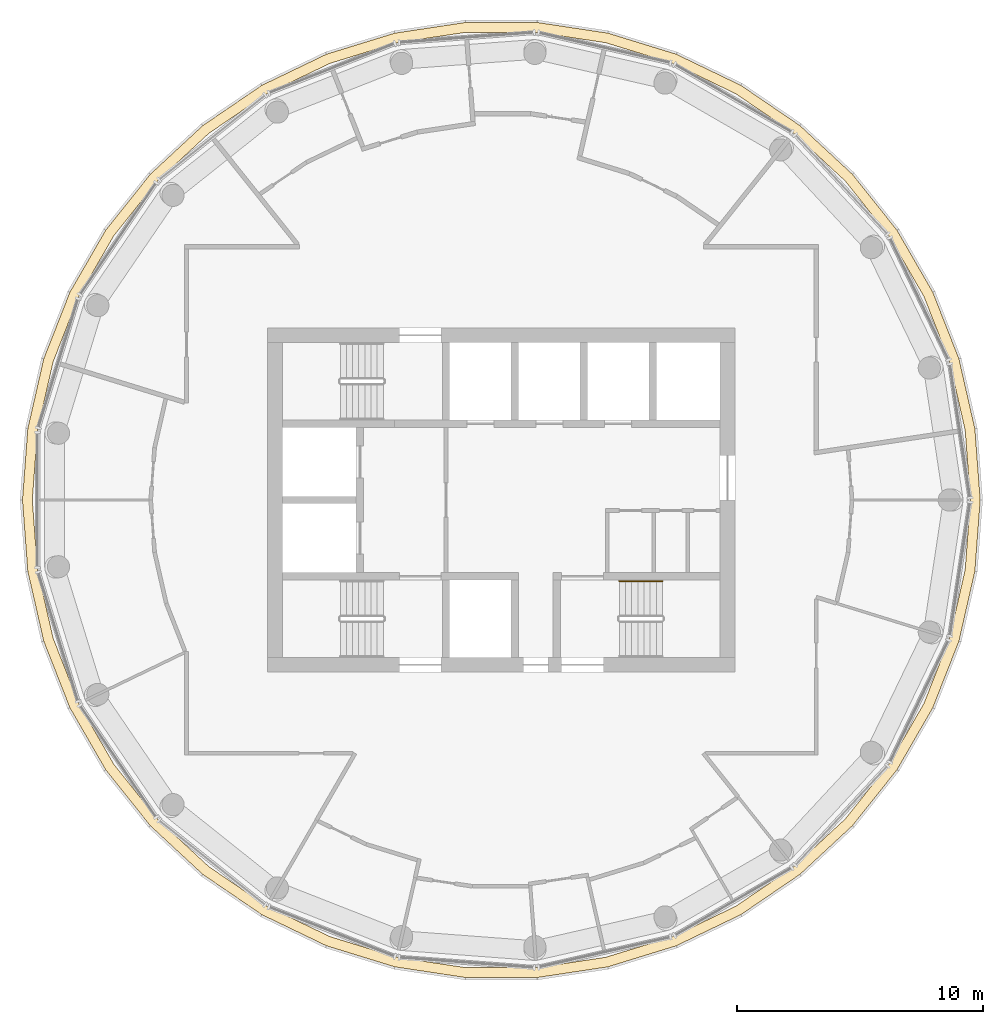
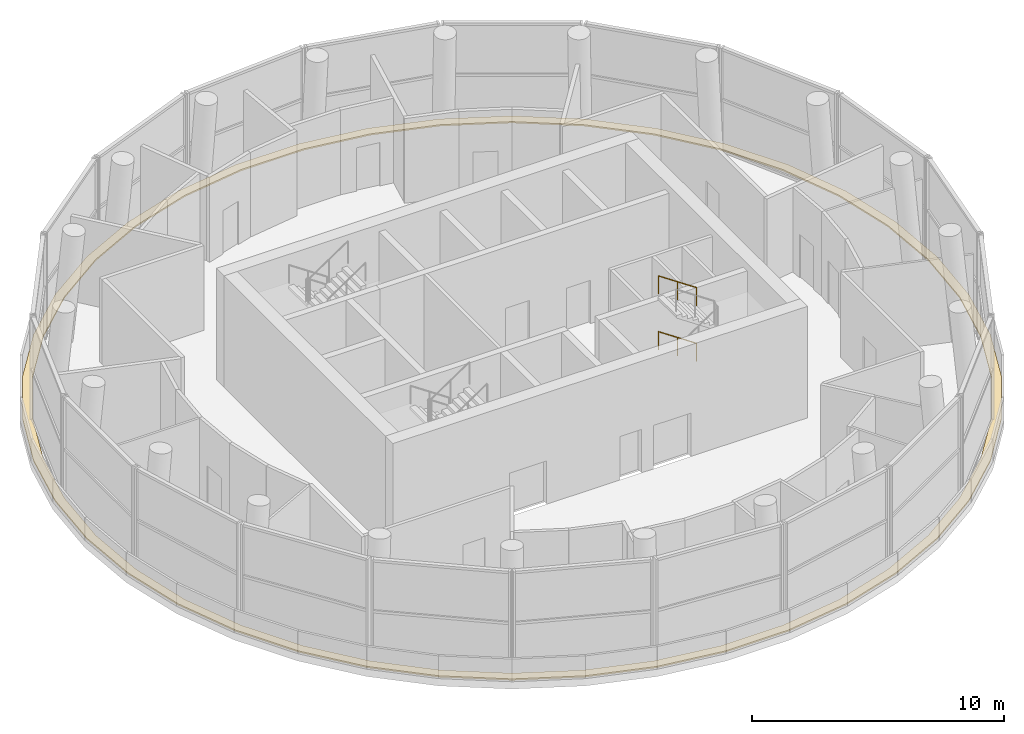
# One storey, part 10 of 10: 2 railings, 1 covering.
"""IFC4 building model written with IfcOpenShell, lengths in metres."""

from ifc_helpers import new_model, si_unit, direction, frame, origin, origin_2d, place, context, subcontext, project, spatial, polyline, circle, outline, extrude, material, layer, layer_set, type_object, element, save


model = new_model("IFC4")

# Units and contexts
model_context = context("Model", 3, precision=1e-05, world=origin(), true_north=direction((0.0, 1.0)))
body_context = subcontext(model_context, "Body", "Model", "MODEL_VIEW")
ifc_project = project(units=[si_unit("LENGTHUNIT", "METRE"), si_unit("AREAUNIT", "SQUARE_METRE"), si_unit("VOLUMEUNIT", "CUBIC_METRE"), si_unit("PLANEANGLEUNIT", "RADIAN"), si_unit("MASSUNIT", "GRAM", prefix="KILO")], contexts=[model_context])

# Site, building, storey
site_placement = place(None, origin())
site = spatial("IfcSite", under=ifc_project, at=site_placement, CompositionType="ELEMENT")
building_placement = place(site_placement, origin())
building = spatial("IfcBuilding", under=site, at=building_placement, Name="Tracery Tower", CompositionType="ELEMENT")
storey_placement = place(building_placement, frame((0.0, 0.0, 336.0)))
storey = spatial("IfcBuildingStorey", under=building, at=storey_placement, Name="L87", CompositionType="ELEMENT", Elevation=336.0)

# Covering
ifc_material_1 = material(Name="Roof membrane on insulation")
ifc_layer = layer(ifc_material_1, 0.070068359375)
ifc_layer_set = layer_set([ifc_layer], Name="Crown ledge roof membrane 70")
covering_type = type_object("IfcCoveringType", Name="Crown ledge roof membrane 70", PredefinedType="ROOFING", material=ifc_layer_set)
covering_placement = place(storey_placement, origin())
element("IfcCovering", 1, at=covering_placement, inside=storey, type_object=covering_type, Name="Ledge roof L87", PredefinedType="ROOFING", context=body_context, shape_type="SweptSolid", body=[
    extrude(outline(polyline([(19.471923828125, 0.0), (19.25439453125, 2.902099609375), (18.606689453125, 5.739501953125), (17.543701171875, 8.448486328125), (16.08837890625, 10.968994140625), (14.27392578125, 13.244384765625), (12.140380859375, 15.223876953125), (9.736083984375, 16.86328125), (7.114013671875, 18.1259765625), (4.3330078125, 18.983642578125), (1.455078125, 19.41748046875), (-1.455078125, 19.41748046875), (-4.3330078125, 18.983642578125), (-7.114013671875, 18.1259765625), (-9.736083984375, 16.86328125), (-12.140380859375, 15.223876953125), (-14.27392578125, 13.244384765625), (-16.08837890625, 10.968994140625), (-17.543701171875, 8.448486328125), (-18.606689453125, 5.739501953125), (-19.25439453125, 2.902099609375), (-19.471923828125, 0.0), (-19.25439453125, -2.902099609375), (-18.606689453125, -5.739501953125), (-17.543701171875, -8.448486328125), (-16.08837890625, -10.968994140625), (-14.27392578125, -13.244384765625), (-12.140380859375, -15.223876953125), (-9.736083984375, -16.86328125), (-7.114013671875, -18.1259765625), (-4.3330078125, -18.983642578125), (-1.455078125, -19.41748046875), (1.455078125, -19.41748046875), (4.3330078125, -18.983642578125), (7.114013671875, -18.1259765625), (9.736083984375, -16.86328125), (12.140380859375, -15.223876953125), (14.27392578125, -13.244384765625), (16.08837890625, -10.968994140625), (17.543701171875, -8.448486328125), (18.606689453125, -5.739501953125), (19.25439453125, -2.902099609375), (19.471923828125, 0.0)]), holes=[polyline([(19.072265625, 0.0), (18.859130859375, -2.842529296875), (18.224853515625, -5.62158203125), (17.18359375, -8.275146484375), (15.75830078125, -10.743896484375), (13.98095703125, -12.972412109375), (11.891357421875, -14.9111328125), (9.5361328125, -16.51708984375), (6.968017578125, -17.75390625), (4.243896484375, -18.593994140625), (1.42529296875, -19.018798828125), (-1.42529296875, -19.018798828125), (-4.243896484375, -18.593994140625), (-6.968017578125, -17.75390625), (-9.5361328125, -16.51708984375), (-11.891357421875, -14.9111328125), (-13.98095703125, -12.972412109375), (-15.75830078125, -10.743896484375), (-17.18359375, -8.275146484375), (-18.224853515625, -5.62158203125), (-18.859130859375, -2.842529296875), (-19.072265625, 0.0), (-18.859130859375, 2.842529296875), (-18.224853515625, 5.62158203125), (-17.18359375, 8.275146484375), (-15.75830078125, 10.743896484375), (-13.98095703125, 12.972412109375), (-11.891357421875, 14.9111328125), (-9.5361328125, 16.51708984375), (-6.968017578125, 17.75390625), (-4.243896484375, 18.593994140625), (-1.42529296875, 19.018798828125), (1.42529296875, 19.018798828125), (4.243896484375, 18.593994140625), (6.968017578125, 17.75390625), (9.5361328125, 16.51708984375), (11.891357421875, 14.9111328125), (13.98095703125, 12.972412109375), (15.75830078125, 10.743896484375), (17.18359375, 8.275146484375), (18.224853515625, 5.62158203125), (18.859130859375, 2.842529296875), (19.072265625, 0.0)])]), origin(), (0.0, 0.0, 1.0), 0.070068359375),
])

# Railings
ifc_material_2 = material(Name="Stainless steel and laminated glass", Category="steel")
railing_type = type_object("IfcRailingType", Name="Stair handrail 900", PredefinedType="HANDRAIL", material=ifc_material_2)
for number, where, name in (
    (2, (6.550048828125, -3.300048828125, 1.518798828125), "L87 stair ST2 handrail 2"),
    (3, (6.550048828125, -3.300048828125, 4.21875), "L87 stair ST2 handrail 4"),
):
    element("IfcRailing", number, at=place(storey_placement, frame(where)), inside=storey, type_object=railing_type, Name=name, PredefinedType="HANDRAIL", context=body_context, shape_type="SweptSolid", body=[
        extrude(circle(Radius=0.02392578125, at=origin_2d()), frame((0.0, 0.0, 0.8759765625), z_axis=(-0.828870122254, 0.0, 0.559441078608), x_axis=(0.0, -1.0, 0.0)), (0.0, 0.0, 1.0), 2.111328125),
        extrude(circle(Radius=0.02099609375, at=origin_2d()), origin(), (0.0, 0.0, 1.0), 0.851806640625),
        extrude(circle(Radius=0.02099609375, at=origin_2d()), frame((-0.875, 0.0, 0.590576171875)), (0.0, 0.0, 1.0), 0.851806640625),
        extrude(circle(Radius=0.02099609375, at=origin_2d()), frame((-1.75, 0.0, 1.18115234375)), (0.0, 0.0, 1.0), 0.851806640625),
    ])

save(model, "model.ifc")
